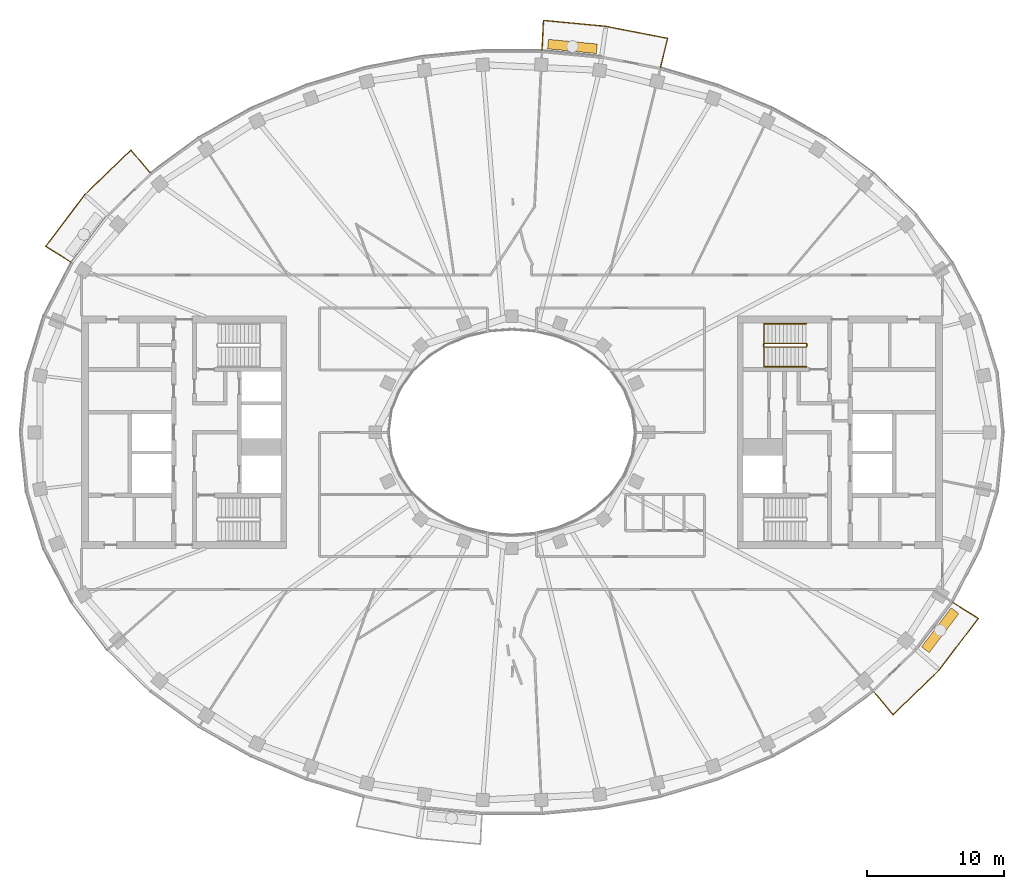
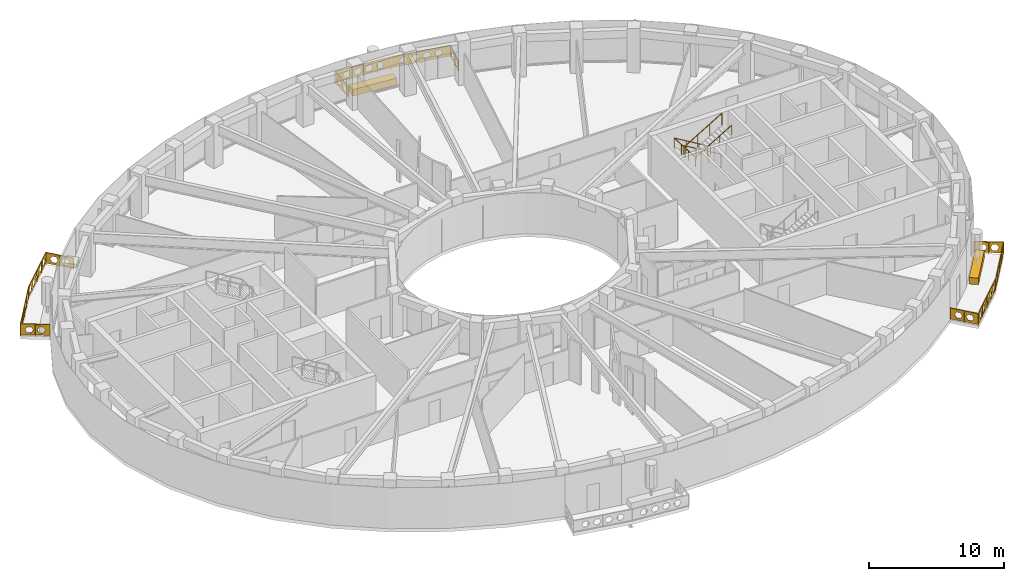
# One storey, part 15 of 16: 5 railings, 2 coverings.
"""IFC4 building model written with IfcOpenShell, lengths in metres."""

from ifc_helpers import new_model, si_unit, direction, frame, origin, origin_2d, place, context, subcontext, project, spatial, polyline, rectangle, outline, extrude, material, type_object, element, save


model = new_model("IFC4")

# Units and contexts
model_context = context("Model", 3, precision=1e-05, world=origin(), true_north=direction((0.0, 1.0)))
body_context = subcontext(model_context, "Body", "Model", "MODEL_VIEW")
ifc_project = project(units=[si_unit("LENGTHUNIT", "METRE"), si_unit("AREAUNIT", "SQUARE_METRE"), si_unit("VOLUMEUNIT", "CUBIC_METRE"), si_unit("PLANEANGLEUNIT", "RADIAN"), si_unit("MASSUNIT", "GRAM", prefix="KILO")], contexts=[model_context])

# Site, building, storey
site_placement = place(None, origin())
site = spatial("IfcSite", under=ifc_project, at=site_placement, CompositionType="ELEMENT")
building_placement = place(site_placement, origin())
building = spatial("IfcBuilding", under=site, at=building_placement, Name="Noorbagh Ring Tower", CompositionType="ELEMENT")
storey_placement = place(building_placement, frame((0.0, 0.0, 315.0)))
storey = spatial("IfcBuildingStorey", under=building, at=storey_placement, Name="L68", CompositionType="ELEMENT", Elevation=315.0)

# Railings
ifc_material_1 = material(Name="Stainless steel", Category="steel")
railing_type_1 = type_object("IfcRailingType", Name="CORE-STAIR-GUARD", PredefinedType="GUARDRAIL", material=ifc_material_1)
railing_1_placement = place(storey_placement, frame((21.580078125, 6.449951171875, 0.0)))
element("IfcRailing", 1, at=railing_1_placement, inside=storey, type_object=railing_type_1, Name="L68 ST3 stair guard", PredefinedType="GUARDRAIL", context=body_context, shape_type="SweptSolid", body=[
    extrude(rectangle(XDim=0.048095703125, YDim=0.048095703125, at=origin_2d()), frame((0.0, 0.0, 1.076171875), z_axis=(0.0, -1.0, 0.0), x_axis=(1.0, 0.0, 0.0)), (0.0, 0.0, 1.0), 0.14990234375),
    extrude(rectangle(XDim=0.048095703125, YDim=0.048095703125, at=origin_2d()), frame((0.0, -0.14990234375, 1.076171875), z_axis=(-0.188775798145, 0.754182335027, 0.628945707965), x_axis=(-0.970072785993, -0.242814311512, 0.0)), (0.0, 0.0, 1.0), 0.26513671875),
    extrude(rectangle(XDim=0.048095703125, YDim=0.048095703125, at=origin_2d()), frame((-0.050048828125, 0.050048828125, 1.24267578125), z_axis=(-0.859308565015, 0.0, 0.511457515432), x_axis=(0.0, -1.0, 0.0)), (0.0, 0.0, 1.0), 3.58447265625),
    extrude(rectangle(XDim=0.048095703125, YDim=0.048095703125, at=origin_2d()), frame((-3.130126953125, 0.050048828125, 3.076171875), z_axis=(-0.707106781187, -0.707106781187, 0.0), x_axis=(0.707106781187, -0.707106781187, 0.0)), (0.0, 0.0, 1.0), 0.07080078125),
    extrude(rectangle(XDim=0.048095703125, YDim=0.048095703125, at=origin_2d()), frame((-3.18017578125, 0.0, 3.076171875), z_axis=(0.0, -1.0, 0.0), x_axis=(1.0, 0.0, 0.0)), (0.0, 0.0, 1.0), 0.14990234375),
    extrude(rectangle(XDim=0.048095703125, YDim=0.048095703125, at=origin_2d()), frame((-3.18017578125, -0.14990234375, 3.076171875), z_axis=(0.27628659633, -0.27628659633, 0.920506074601), x_axis=(0.707106781187, 0.707106781187, 0.0)), (0.0, 0.0, 1.0), 0.18115234375),
    extrude(rectangle(XDim=0.048095703125, YDim=0.048095703125, at=origin_2d()), frame((-3.130126953125, -0.199951171875, 3.24267578125), z_axis=(0.859308565015, 0.0, 0.511457515432), x_axis=(0.0, 1.0, 0.0)), (0.0, 0.0, 1.0), 3.58447265625),
    extrude(rectangle(XDim=0.0419921875, YDim=0.0419921875, at=origin_2d()), origin(), (0.0, 0.0, 1.0), 1.052001953125),
    extrude(rectangle(XDim=0.0419921875, YDim=0.0419921875, at=origin_2d()), frame((-1.07666015625, 0.050048828125, 0.77783203125)), (0.0, 0.0, 1.0), 1.052001953125),
    extrude(rectangle(XDim=0.0419921875, YDim=0.0419921875, at=origin_2d()), frame((-2.103515625, 0.050048828125, 1.388916015625)), (0.0, 0.0, 1.0), 1.052001953125),
    extrude(rectangle(XDim=0.0419921875, YDim=0.0419921875, at=origin_2d()), frame((-3.130126953125, 0.050048828125, 2.0)), (0.0, 0.0, 1.0), 1.052001953125),
    extrude(rectangle(XDim=0.0419921875, YDim=0.0419921875, at=origin_2d()), frame((-3.130126953125, -0.199951171875, 2.166748046875)), (0.0, 0.0, 1.0), 1.052001953125),
    extrude(rectangle(XDim=0.0419921875, YDim=0.0419921875, at=origin_2d()), frame((-2.103515625, -0.199951171875, 2.77783203125)), (0.0, 0.0, 1.0), 1.052001953125),
    extrude(rectangle(XDim=0.0419921875, YDim=0.0419921875, at=origin_2d()), frame((-1.07666015625, -0.199951171875, 3.388916015625)), (0.0, 0.0, 1.0), 1.052001953125),
    extrude(rectangle(XDim=0.0419921875, YDim=0.0419921875, at=origin_2d()), frame((-0.050048828125, -0.199951171875, 4.0)), (0.0, 0.0, 1.0), 1.052001953125),
])
ifc_material_2 = material(Name="Stainless steel", Category="steel")
railing_type_2 = type_object("IfcRailingType", Name="CORE-STAIR-HANDRAIL", PredefinedType="HANDRAIL", material=ifc_material_2)
railing_2_placement = place(storey_placement, frame((21.530029296875, 7.949951171875, 0.166748046875)))
element("IfcRailing", 2, at=railing_2_placement, inside=storey, type_object=railing_type_2, Name="L68 ST3 stair handrail", PredefinedType="HANDRAIL", context=body_context, shape_type="SweptSolid", body=[
    extrude(rectangle(XDim=0.048095703125, YDim=0.048095703125, at=origin_2d()), frame((0.0, 0.0, 0.8759765625), z_axis=(-0.859308565015, 0.0, 0.511457515432), x_axis=(0.0, -1.0, 0.0)), (0.0, 0.0, 1.0), 3.58447265625),
    extrude(rectangle(XDim=0.048095703125, YDim=0.048095703125, at=origin_2d()), frame((-3.080078125, 0.0, 2.708984375), z_axis=(0.0, -0.998601747152, 0.052863509014), x_axis=(1.0, 0.0, 0.0)), (0.0, 0.0, 1.0), 3.154296875),
    extrude(rectangle(XDim=0.048095703125, YDim=0.048095703125, at=origin_2d()), frame((-3.080078125, -3.14990234375, 2.8759765625), z_axis=(0.859308565015, 0.0, 0.511457515432), x_axis=(0.0, 1.0, 0.0)), (0.0, 0.0, 1.0), 3.58447265625),
    extrude(rectangle(XDim=0.0419921875, YDim=0.0419921875, at=origin_2d()), origin(), (0.0, 0.0, 1.0), 0.851806640625),
    extrude(rectangle(XDim=0.0419921875, YDim=0.0419921875, at=origin_2d()), frame((-1.026611328125, 0.0, 0.611083984375)), (0.0, 0.0, 1.0), 0.851806640625),
    extrude(rectangle(XDim=0.0419921875, YDim=0.0419921875, at=origin_2d()), frame((-2.053466796875, 0.0, 1.22216796875)), (0.0, 0.0, 1.0), 0.851806640625),
    extrude(rectangle(XDim=0.0419921875, YDim=0.0419921875, at=origin_2d()), frame((-3.080078125, 0.0, 1.833251953125)), (0.0, 0.0, 1.0), 0.851806640625),
    extrude(rectangle(XDim=0.0419921875, YDim=0.0419921875, at=origin_2d()), frame((-3.080078125, -1.050048828125, 1.888916015625)), (0.0, 0.0, 1.0), 0.851806640625),
    extrude(rectangle(XDim=0.0419921875, YDim=0.0419921875, at=origin_2d()), frame((-3.080078125, -2.099853515625, 1.9443359375)), (0.0, 0.0, 1.0), 0.851806640625),
    extrude(rectangle(XDim=0.0419921875, YDim=0.0419921875, at=origin_2d()), frame((-3.080078125, -3.14990234375, 2.0)), (0.0, 0.0, 1.0), 0.851806640625),
    extrude(rectangle(XDim=0.0419921875, YDim=0.0419921875, at=origin_2d()), frame((-2.053466796875, -3.14990234375, 2.611083984375)), (0.0, 0.0, 1.0), 0.851806640625),
    extrude(rectangle(XDim=0.0419921875, YDim=0.0419921875, at=origin_2d()), frame((-1.026611328125, -3.14990234375, 3.22216796875)), (0.0, 0.0, 1.0), 0.851806640625),
    extrude(rectangle(XDim=0.0419921875, YDim=0.0419921875, at=origin_2d()), frame((0.0, -3.14990234375, 3.833251953125)), (0.0, 0.0, 1.0), 0.851806640625),
])
ifc_material_3 = material(Name="Steel S275 black powder-coated", Category="steel")
railing_type_3 = type_object("IfcRailingType", Name="ENV-GUARD", PredefinedType="GUARDRAIL", material=ifc_material_3)
railing_3_placement = place(storey_placement, frame((10.865234375, 26.6943359375, 0.0)))
element("IfcRailing", 3, at=railing_3_placement, inside=storey, type_object=railing_type_3, Name="Balcony guard BN03", PredefinedType="GUARDRAIL", context=body_context, shape_type="SweptSolid", body=[
    extrude(rectangle(XDim=0.048095703125, YDim=0.048095703125, at=origin_2d()), frame((0.0, 0.0, 1.076171875), z_axis=(0.239848558412, 0.970810315679, 0.0), x_axis=(-0.970810315679, 0.239848558412, 0.0)), (0.0, 0.0, 1.0), 2.20263671875),
    extrude(rectangle(XDim=0.048095703125, YDim=0.048095703125, at=origin_2d()), frame((0.5283203125, 2.138427734375, 1.076171875), z_axis=(-0.981625049064, 0.1908199755, 0.0), x_axis=(-0.1908199755, -0.981625049064, 0.0)), (0.0, 0.0, 1.0), 4.603271484375),
    extrude(rectangle(XDim=0.048095703125, YDim=0.048095703125, at=origin_2d()), frame((-3.990478515625, 3.016845703125, 1.076171875), z_axis=(-0.995477555764, 0.094997031379, 0.0), x_axis=(-0.094997031379, -0.995477555764, 0.0)), (0.0, 0.0, 1.0), 4.59765625),
    extrude(rectangle(XDim=0.048095703125, YDim=0.048095703125, at=origin_2d()), frame((-8.5673828125, 3.45361328125, 1.076171875), z_axis=(-0.047554616162, -0.998868639252, 0.0), x_axis=(0.998868639252, -0.047554616162, 0.0)), (0.0, 0.0, 1.0), 2.202392578125),
    extrude(rectangle(XDim=0.0419921875, YDim=0.0419921875, at=origin_2d()), origin(), (0.0, 0.0, 1.0), 1.052001953125),
    extrude(rectangle(XDim=0.0419921875, YDim=0.0419921875, at=origin_2d()), frame((0.26416015625, 1.0693359375, 0.0)), (0.0, 0.0, 1.0), 1.052001953125),
    extrude(rectangle(XDim=0.0419921875, YDim=0.0419921875, at=origin_2d()), frame((0.5283203125, 2.138427734375, 0.0)), (0.0, 0.0, 1.0), 1.052001953125),
    extrude(rectangle(XDim=0.0419921875, YDim=0.0419921875, at=origin_2d()), frame((-0.601318359375, 2.35791015625, 0.0)), (0.0, 0.0, 1.0), 1.052001953125),
    extrude(rectangle(XDim=0.0419921875, YDim=0.0419921875, at=origin_2d()), frame((-1.73095703125, 2.57763671875, 0.0)), (0.0, 0.0, 1.0), 1.052001953125),
    extrude(rectangle(XDim=0.0419921875, YDim=0.0419921875, at=origin_2d()), frame((-2.86083984375, 2.79736328125, 0.0)), (0.0, 0.0, 1.0), 1.052001953125),
    extrude(rectangle(XDim=0.0419921875, YDim=0.0419921875, at=origin_2d()), frame((-3.990478515625, 3.016845703125, 0.0)), (0.0, 0.0, 1.0), 1.052001953125),
    extrude(rectangle(XDim=0.0419921875, YDim=0.0419921875, at=origin_2d()), frame((-5.134765625, 3.1259765625, 0.0)), (0.0, 0.0, 1.0), 1.052001953125),
    extrude(rectangle(XDim=0.0419921875, YDim=0.0419921875, at=origin_2d()), frame((-6.27880859375, 3.2353515625, 0.0)), (0.0, 0.0, 1.0), 1.052001953125),
    extrude(rectangle(XDim=0.0419921875, YDim=0.0419921875, at=origin_2d()), frame((-7.423095703125, 3.344482421875, 0.0)), (0.0, 0.0, 1.0), 1.052001953125),
    extrude(rectangle(XDim=0.0419921875, YDim=0.0419921875, at=origin_2d()), frame((-8.5673828125, 3.45361328125, 0.0)), (0.0, 0.0, 1.0), 1.052001953125),
    extrude(rectangle(XDim=0.0419921875, YDim=0.0419921875, at=origin_2d()), frame((-8.61962890625, 2.353515625, 0.0)), (0.0, 0.0, 1.0), 1.052001953125),
    extrude(rectangle(XDim=0.0419921875, YDim=0.0419921875, at=origin_2d()), frame((-8.672119140625, 1.253662109375, 0.0)), (0.0, 0.0, 1.0), 1.052001953125),
    extrude(outline(polyline([(0.0, 0.10009765625), (2.20263671875, 0.10009765625), (2.20263671875, 1.031982421875), (0.0, 1.031982421875), (0.0, 0.10009765625)]), holes=[polyline([(0.96142578125, 0.56591796875), (0.806396484375, 0.83447265625), (0.496337890625, 0.83447265625), (0.34130859375, 0.56591796875), (0.496337890625, 0.297607421875), (0.806396484375, 0.297607421875), (0.96142578125, 0.56591796875)]), polyline([(1.861328125, 0.56591796875), (1.706298828125, 0.83447265625), (1.396240234375, 0.83447265625), (1.241455078125, 0.56591796875), (1.396240234375, 0.297607421875), (1.706298828125, 0.297607421875), (1.861328125, 0.56591796875)])]), frame((-0.009765625, 0.00244140625, 0.0), z_axis=(0.970810315679, -0.239848558412, 0.0), x_axis=(0.239848558412, 0.970810315679, 0.0)), (0.0, 0.0, 1.0), 0.02001953125),
    extrude(outline(polyline([(0.0, 0.10009765625), (4.603271484375, 0.10009765625), (4.603271484375, 1.031982421875), (0.0, 1.031982421875), (0.0, 0.10009765625)]), holes=[polyline([(1.26171875, 0.56591796875), (1.106689453125, 0.83447265625), (0.796630859375, 0.83447265625), (0.6416015625, 0.56591796875), (0.796630859375, 0.297607421875), (1.106689453125, 0.297607421875), (1.26171875, 0.56591796875)]), polyline([(2.16162109375, 0.56591796875), (2.006591796875, 0.83447265625), (1.69677734375, 0.83447265625), (1.541748046875, 0.56591796875), (1.69677734375, 0.297607421875), (2.006591796875, 0.297607421875), (2.16162109375, 0.56591796875)]), polyline([(3.061767578125, 0.56591796875), (2.90673828125, 0.83447265625), (2.5966796875, 0.83447265625), (2.441650390625, 0.56591796875), (2.5966796875, 0.297607421875), (2.90673828125, 0.297607421875), (3.061767578125, 0.56591796875)]), polyline([(3.961669921875, 0.56591796875), (3.806640625, 0.83447265625), (3.49658203125, 0.83447265625), (3.341796875, 0.56591796875), (3.49658203125, 0.297607421875), (3.806640625, 0.297607421875), (3.961669921875, 0.56591796875)])]), frame((0.5263671875, 2.128662109375, 0.0), z_axis=(0.1908199755, 0.981625049064, 0.0), x_axis=(-0.981625049064, 0.1908199755, 0.0)), (0.0, 0.0, 1.0), 0.02001953125),
    extrude(outline(polyline([(0.0, 0.10009765625), (4.59765625, 0.10009765625), (4.59765625, 1.031982421875), (0.0, 1.031982421875), (0.0, 0.10009765625)]), holes=[polyline([(1.2587890625, 0.56591796875), (1.103759765625, 0.83447265625), (0.7939453125, 0.83447265625), (0.638916015625, 0.56591796875), (0.7939453125, 0.297607421875), (1.103759765625, 0.297607421875), (1.2587890625, 0.56591796875)]), polyline([(2.158935546875, 0.56591796875), (2.00390625, 0.83447265625), (1.69384765625, 0.83447265625), (1.538818359375, 0.56591796875), (1.69384765625, 0.297607421875), (2.00390625, 0.297607421875), (2.158935546875, 0.56591796875)]), polyline([(3.058837890625, 0.56591796875), (2.90380859375, 0.83447265625), (2.59375, 0.83447265625), (2.43896484375, 0.56591796875), (2.59375, 0.297607421875), (2.90380859375, 0.297607421875), (3.058837890625, 0.56591796875)]), polyline([(3.958740234375, 0.56591796875), (3.803955078125, 0.83447265625), (3.493896484375, 0.83447265625), (3.3388671875, 0.56591796875), (3.493896484375, 0.297607421875), (3.803955078125, 0.297607421875), (3.958740234375, 0.56591796875)])]), frame((-3.991455078125, 3.0068359375, 0.0), z_axis=(0.094997031379, 0.995477555764, 0.0), x_axis=(-0.995477555764, 0.094997031379, 0.0)), (0.0, 0.0, 1.0), 0.02001953125),
    extrude(outline(polyline([(0.0, 0.10009765625), (2.202392578125, 0.10009765625), (2.202392578125, 1.031982421875), (0.0, 1.031982421875), (0.0, 0.10009765625)]), holes=[polyline([(0.961181640625, 0.56591796875), (0.80615234375, 0.83447265625), (0.496337890625, 0.83447265625), (0.34130859375, 0.56591796875), (0.496337890625, 0.297607421875), (0.80615234375, 0.297607421875), (0.961181640625, 0.56591796875)]), polyline([(1.861328125, 0.56591796875), (1.706298828125, 0.83447265625), (1.396240234375, 0.83447265625), (1.2412109375, 0.56591796875), (1.396240234375, 0.297607421875), (1.706298828125, 0.297607421875), (1.861328125, 0.56591796875)])]), frame((-8.557373046875, 3.453125, 0.0), z_axis=(-0.998868639252, 0.047554616162, 0.0), x_axis=(-0.047554616162, -0.998868639252, 0.0)), (0.0, 0.0, 1.0), 0.02001953125),
])
railing_4_placement = place(storey_placement, frame((-26.463134765625, 18.983154296875, 0.0)))
element("IfcRailing", 4, at=railing_4_placement, inside=storey, type_object=railing_type_3, Name="Balcony guard BN06", PredefinedType="GUARDRAIL", context=body_context, shape_type="SweptSolid", body=[
    extrude(rectangle(XDim=0.048095703125, YDim=0.048095703125, at=origin_2d()), frame((0.0, 0.0, 1.076171875), z_axis=(-0.646413574048, 0.762987215677, 0.0), x_axis=(-0.762987215677, -0.646413574048, 0.0)), (0.0, 0.0, 1.0), 2.205322265625),
    extrude(rectangle(XDim=0.048095703125, YDim=0.048095703125, at=origin_2d()), frame((-1.425537109375, 1.6826171875, 1.076171875), z_axis=(-0.717212632946, -0.696854388766, 0.0), x_axis=(0.696854388766, -0.717212632946, 0.0)), (0.0, 0.0, 1.0), 4.700927734375),
    extrude(rectangle(XDim=0.048095703125, YDim=0.048095703125, at=origin_2d()), frame((-4.797119140625, -1.59326171875, 1.076171875), z_axis=(-0.604001613322, -0.796983093362, 0.0), x_axis=(0.796983093362, -0.604001613322, 0.0)), (0.0, 0.0, 1.0), 4.7353515625),
    extrude(rectangle(XDim=0.048095703125, YDim=0.048095703125, at=origin_2d()), frame((-7.6572265625, -5.3671875, 1.076171875), z_axis=(0.844852397829, -0.534999463442, 0.0), x_axis=(0.534999463442, 0.844852397829, 0.0)), (0.0, 0.0, 1.0), 2.207763671875),
    extrude(rectangle(XDim=0.0419921875, YDim=0.0419921875, at=origin_2d()), origin(), (0.0, 0.0, 1.0), 1.052001953125),
    extrude(rectangle(XDim=0.0419921875, YDim=0.0419921875, at=origin_2d()), frame((-0.712890625, 0.84130859375, 0.0)), (0.0, 0.0, 1.0), 1.052001953125),
    extrude(rectangle(XDim=0.0419921875, YDim=0.0419921875, at=origin_2d()), frame((-1.425537109375, 1.6826171875, 0.0)), (0.0, 0.0, 1.0), 1.052001953125),
    extrude(rectangle(XDim=0.0419921875, YDim=0.0419921875, at=origin_2d()), frame((-2.2685546875, 0.86376953125, 0.0)), (0.0, 0.0, 1.0), 1.052001953125),
    extrude(rectangle(XDim=0.0419921875, YDim=0.0419921875, at=origin_2d()), frame((-3.111328125, 0.044677734375, 0.0)), (0.0, 0.0, 1.0), 1.052001953125),
    extrude(rectangle(XDim=0.0419921875, YDim=0.0419921875, at=origin_2d()), frame((-3.9541015625, -0.7744140625, 0.0)), (0.0, 0.0, 1.0), 1.052001953125),
    extrude(rectangle(XDim=0.0419921875, YDim=0.0419921875, at=origin_2d()), frame((-4.797119140625, -1.59326171875, 0.0)), (0.0, 0.0, 1.0), 1.052001953125),
    extrude(rectangle(XDim=0.0419921875, YDim=0.0419921875, at=origin_2d()), frame((-5.51220703125, -2.53662109375, 0.0)), (0.0, 0.0, 1.0), 1.052001953125),
    extrude(rectangle(XDim=0.0419921875, YDim=0.0419921875, at=origin_2d()), frame((-6.22705078125, -3.480224609375, 0.0)), (0.0, 0.0, 1.0), 1.052001953125),
    extrude(rectangle(XDim=0.0419921875, YDim=0.0419921875, at=origin_2d()), frame((-6.942138671875, -4.423828125, 0.0)), (0.0, 0.0, 1.0), 1.052001953125),
    extrude(rectangle(XDim=0.0419921875, YDim=0.0419921875, at=origin_2d()), frame((-7.6572265625, -5.3671875, 0.0)), (0.0, 0.0, 1.0), 1.052001953125),
    extrude(rectangle(XDim=0.0419921875, YDim=0.0419921875, at=origin_2d()), frame((-6.724609375, -5.957763671875, 0.0)), (0.0, 0.0, 1.0), 1.052001953125),
    extrude(rectangle(XDim=0.0419921875, YDim=0.0419921875, at=origin_2d()), frame((-5.7919921875, -6.54833984375, 0.0)), (0.0, 0.0, 1.0), 1.052001953125),
    extrude(outline(polyline([(0.0, 0.10009765625), (2.205322265625, 0.10009765625), (2.205322265625, 1.031982421875), (0.0, 1.031982421875), (0.0, 0.10009765625)]), holes=[polyline([(0.962646484375, 0.56591796875), (0.8076171875, 0.83447265625), (0.49755859375, 0.83447265625), (0.342529296875, 0.56591796875), (0.49755859375, 0.297607421875), (0.8076171875, 0.297607421875), (0.962646484375, 0.56591796875)]), polyline([(1.862548828125, 0.56591796875), (1.707763671875, 0.83447265625), (1.397705078125, 0.83447265625), (1.24267578125, 0.56591796875), (1.397705078125, 0.297607421875), (1.707763671875, 0.297607421875), (1.862548828125, 0.56591796875)])]), frame((-0.007568359375, -0.00634765625, 0.0), z_axis=(0.762987215677, 0.646413574048, 0.0), x_axis=(-0.646413574048, 0.762987215677, 0.0)), (0.0, 0.0, 1.0), 0.02001953125),
    extrude(outline(polyline([(0.0, 0.10009765625), (4.700927734375, 0.10009765625), (4.700927734375, 1.031982421875), (0.0, 1.031982421875), (0.0, 0.10009765625)]), holes=[polyline([(0.860595703125, 0.56591796875), (0.70556640625, 0.83447265625), (0.3955078125, 0.83447265625), (0.240478515625, 0.56591796875), (0.3955078125, 0.297607421875), (0.70556640625, 0.297607421875), (0.860595703125, 0.56591796875)]), polyline([(1.760498046875, 0.56591796875), (1.60546875, 0.83447265625), (1.29541015625, 0.83447265625), (1.140380859375, 0.56591796875), (1.29541015625, 0.297607421875), (1.60546875, 0.297607421875), (1.760498046875, 0.56591796875)]), polyline([(2.660400390625, 0.56591796875), (2.50537109375, 0.83447265625), (2.195556640625, 0.83447265625), (2.04052734375, 0.56591796875), (2.195556640625, 0.297607421875), (2.50537109375, 0.297607421875), (2.660400390625, 0.56591796875)]), polyline([(3.560546875, 0.56591796875), (3.405517578125, 0.83447265625), (3.095458984375, 0.83447265625), (2.9404296875, 0.56591796875), (3.095458984375, 0.297607421875), (3.405517578125, 0.297607421875), (3.560546875, 0.56591796875)]), polyline([(4.46044921875, 0.56591796875), (4.305419921875, 0.83447265625), (3.995361328125, 0.83447265625), (3.840576171875, 0.56591796875), (3.995361328125, 0.297607421875), (4.305419921875, 0.297607421875), (4.46044921875, 0.56591796875)])]), frame((-1.41845703125, 1.675537109375, 0.0), z_axis=(-0.696854388766, 0.717212632946, 0.0), x_axis=(-0.717212632946, -0.696854388766, 0.0)), (0.0, 0.0, 1.0), 0.02001953125),
    extrude(outline(polyline([(0.0, 0.10009765625), (4.7353515625, 0.10009765625), (4.7353515625, 1.031982421875), (0.0, 1.031982421875), (0.0, 0.10009765625)]), holes=[polyline([(0.877685546875, 0.56591796875), (0.72265625, 0.83447265625), (0.41259765625, 0.83447265625), (0.257568359375, 0.56591796875), (0.41259765625, 0.297607421875), (0.72265625, 0.297607421875), (0.877685546875, 0.56591796875)]), polyline([(1.777587890625, 0.56591796875), (1.62255859375, 0.83447265625), (1.312744140625, 0.83447265625), (1.15771484375, 0.56591796875), (1.312744140625, 0.297607421875), (1.62255859375, 0.297607421875), (1.777587890625, 0.56591796875)]), polyline([(2.677734375, 0.56591796875), (2.522705078125, 0.83447265625), (2.212646484375, 0.83447265625), (2.0576171875, 0.56591796875), (2.212646484375, 0.297607421875), (2.522705078125, 0.297607421875), (2.677734375, 0.56591796875)]), polyline([(3.57763671875, 0.56591796875), (3.422607421875, 0.83447265625), (3.112548828125, 0.83447265625), (2.95751953125, 0.56591796875), (3.112548828125, 0.297607421875), (3.422607421875, 0.297607421875), (3.57763671875, 0.56591796875)]), polyline([(4.4775390625, 0.56591796875), (4.32275390625, 0.83447265625), (4.0126953125, 0.83447265625), (3.857666015625, 0.56591796875), (4.0126953125, 0.297607421875), (4.32275390625, 0.297607421875), (4.4775390625, 0.56591796875)])]), frame((-4.7890625, -1.599365234375, 0.0), z_axis=(-0.796983093362, 0.604001613322, 0.0), x_axis=(-0.604001613322, -0.796983093362, 0.0)), (0.0, 0.0, 1.0), 0.02001953125),
    extrude(outline(polyline([(0.0, 0.10009765625), (2.207763671875, 0.10009765625), (2.207763671875, 1.031982421875), (0.0, 1.031982421875), (0.0, 0.10009765625)]), holes=[polyline([(0.9638671875, 0.56591796875), (0.808837890625, 0.83447265625), (0.498779296875, 0.83447265625), (0.343994140625, 0.56591796875), (0.498779296875, 0.297607421875), (0.808837890625, 0.297607421875), (0.9638671875, 0.56591796875)]), polyline([(1.86376953125, 0.56591796875), (1.708984375, 0.83447265625), (1.39892578125, 0.83447265625), (1.243896484375, 0.56591796875), (1.39892578125, 0.297607421875), (1.708984375, 0.297607421875), (1.86376953125, 0.56591796875)])]), frame((-7.65185546875, -5.358642578125, 0.0), z_axis=(-0.534999463442, -0.844852397829, 0.0), x_axis=(0.844852397829, -0.534999463442, 0.0)), (0.0, 0.0, 1.0), 0.02001953125),
])
railing_5_placement = place(storey_placement, frame((26.463134765625, -18.983154296875, 0.0)))
element("IfcRailing", 5, at=railing_5_placement, inside=storey, type_object=railing_type_3, Name="Balcony guard BS06", PredefinedType="GUARDRAIL", context=body_context, shape_type="SweptSolid", body=[
    extrude(rectangle(XDim=0.048095703125, YDim=0.048095703125, at=origin_2d()), frame((0.0, 0.0, 1.076171875), z_axis=(0.646413574048, -0.762987215677, 0.0), x_axis=(0.762987215677, 0.646413574048, 0.0)), (0.0, 0.0, 1.0), 2.205322265625),
    extrude(rectangle(XDim=0.048095703125, YDim=0.048095703125, at=origin_2d()), frame((1.425537109375, -1.6826171875, 1.076171875), z_axis=(0.717212632946, 0.696854388766, 0.0), x_axis=(-0.696854388766, 0.717212632946, 0.0)), (0.0, 0.0, 1.0), 4.700927734375),
    extrude(rectangle(XDim=0.048095703125, YDim=0.048095703125, at=origin_2d()), frame((4.797119140625, 1.59326171875, 1.076171875), z_axis=(0.604001613322, 0.796983093362, 0.0), x_axis=(-0.796983093362, 0.604001613322, 0.0)), (0.0, 0.0, 1.0), 4.7353515625),
    extrude(rectangle(XDim=0.048095703125, YDim=0.048095703125, at=origin_2d()), frame((7.6572265625, 5.3671875, 1.076171875), z_axis=(-0.844852397829, 0.534999463442, 0.0), x_axis=(-0.534999463442, -0.844852397829, 0.0)), (0.0, 0.0, 1.0), 2.207763671875),
    extrude(rectangle(XDim=0.0419921875, YDim=0.0419921875, at=origin_2d()), origin(), (0.0, 0.0, 1.0), 1.052001953125),
    extrude(rectangle(XDim=0.0419921875, YDim=0.0419921875, at=origin_2d()), frame((0.712890625, -0.84130859375, 0.0)), (0.0, 0.0, 1.0), 1.052001953125),
    extrude(rectangle(XDim=0.0419921875, YDim=0.0419921875, at=origin_2d()), frame((1.425537109375, -1.6826171875, 0.0)), (0.0, 0.0, 1.0), 1.052001953125),
    extrude(rectangle(XDim=0.0419921875, YDim=0.0419921875, at=origin_2d()), frame((2.2685546875, -0.86376953125, 0.0)), (0.0, 0.0, 1.0), 1.052001953125),
    extrude(rectangle(XDim=0.0419921875, YDim=0.0419921875, at=origin_2d()), frame((3.111328125, -0.044677734375, 0.0)), (0.0, 0.0, 1.0), 1.052001953125),
    extrude(rectangle(XDim=0.0419921875, YDim=0.0419921875, at=origin_2d()), frame((3.9541015625, 0.7744140625, 0.0)), (0.0, 0.0, 1.0), 1.052001953125),
    extrude(rectangle(XDim=0.0419921875, YDim=0.0419921875, at=origin_2d()), frame((4.797119140625, 1.59326171875, 0.0)), (0.0, 0.0, 1.0), 1.052001953125),
    extrude(rectangle(XDim=0.0419921875, YDim=0.0419921875, at=origin_2d()), frame((5.51220703125, 2.53662109375, 0.0)), (0.0, 0.0, 1.0), 1.052001953125),
    extrude(rectangle(XDim=0.0419921875, YDim=0.0419921875, at=origin_2d()), frame((6.22705078125, 3.480224609375, 0.0)), (0.0, 0.0, 1.0), 1.052001953125),
    extrude(rectangle(XDim=0.0419921875, YDim=0.0419921875, at=origin_2d()), frame((6.942138671875, 4.423828125, 0.0)), (0.0, 0.0, 1.0), 1.052001953125),
    extrude(rectangle(XDim=0.0419921875, YDim=0.0419921875, at=origin_2d()), frame((7.6572265625, 5.3671875, 0.0)), (0.0, 0.0, 1.0), 1.052001953125),
    extrude(rectangle(XDim=0.0419921875, YDim=0.0419921875, at=origin_2d()), frame((6.724609375, 5.957763671875, 0.0)), (0.0, 0.0, 1.0), 1.052001953125),
    extrude(rectangle(XDim=0.0419921875, YDim=0.0419921875, at=origin_2d()), frame((5.7919921875, 6.54833984375, 0.0)), (0.0, 0.0, 1.0), 1.052001953125),
    extrude(outline(polyline([(0.0, 0.10009765625), (2.205322265625, 0.10009765625), (2.205322265625, 1.031982421875), (0.0, 1.031982421875), (0.0, 0.10009765625)]), holes=[polyline([(0.962646484375, 0.56591796875), (0.8076171875, 0.83447265625), (0.49755859375, 0.83447265625), (0.342529296875, 0.56591796875), (0.49755859375, 0.297607421875), (0.8076171875, 0.297607421875), (0.962646484375, 0.56591796875)]), polyline([(1.862548828125, 0.56591796875), (1.707763671875, 0.83447265625), (1.397705078125, 0.83447265625), (1.24267578125, 0.56591796875), (1.397705078125, 0.297607421875), (1.707763671875, 0.297607421875), (1.862548828125, 0.56591796875)])]), frame((0.007568359375, 0.00634765625, 0.0), z_axis=(-0.762987215677, -0.646413574048, 0.0), x_axis=(0.646413574048, -0.762987215677, 0.0)), (0.0, 0.0, 1.0), 0.02001953125),
    extrude(outline(polyline([(0.0, 0.10009765625), (4.700927734375, 0.10009765625), (4.700927734375, 1.031982421875), (0.0, 1.031982421875), (0.0, 0.10009765625)]), holes=[polyline([(0.860595703125, 0.56591796875), (0.70556640625, 0.83447265625), (0.3955078125, 0.83447265625), (0.240478515625, 0.56591796875), (0.3955078125, 0.297607421875), (0.70556640625, 0.297607421875), (0.860595703125, 0.56591796875)]), polyline([(1.760498046875, 0.56591796875), (1.60546875, 0.83447265625), (1.29541015625, 0.83447265625), (1.140380859375, 0.56591796875), (1.29541015625, 0.297607421875), (1.60546875, 0.297607421875), (1.760498046875, 0.56591796875)]), polyline([(2.660400390625, 0.56591796875), (2.50537109375, 0.83447265625), (2.195556640625, 0.83447265625), (2.04052734375, 0.56591796875), (2.195556640625, 0.297607421875), (2.50537109375, 0.297607421875), (2.660400390625, 0.56591796875)]), polyline([(3.560546875, 0.56591796875), (3.405517578125, 0.83447265625), (3.095458984375, 0.83447265625), (2.9404296875, 0.56591796875), (3.095458984375, 0.297607421875), (3.405517578125, 0.297607421875), (3.560546875, 0.56591796875)]), polyline([(4.46044921875, 0.56591796875), (4.305419921875, 0.83447265625), (3.995361328125, 0.83447265625), (3.840576171875, 0.56591796875), (3.995361328125, 0.297607421875), (4.305419921875, 0.297607421875), (4.46044921875, 0.56591796875)])]), frame((1.41845703125, -1.675537109375, 0.0), z_axis=(0.696854388766, -0.717212632946, 0.0), x_axis=(0.717212632946, 0.696854388766, 0.0)), (0.0, 0.0, 1.0), 0.02001953125),
    extrude(outline(polyline([(0.0, 0.10009765625), (4.7353515625, 0.10009765625), (4.7353515625, 1.031982421875), (0.0, 1.031982421875), (0.0, 0.10009765625)]), holes=[polyline([(0.877685546875, 0.56591796875), (0.72265625, 0.83447265625), (0.41259765625, 0.83447265625), (0.257568359375, 0.56591796875), (0.41259765625, 0.297607421875), (0.72265625, 0.297607421875), (0.877685546875, 0.56591796875)]), polyline([(1.777587890625, 0.56591796875), (1.62255859375, 0.83447265625), (1.312744140625, 0.83447265625), (1.15771484375, 0.56591796875), (1.312744140625, 0.297607421875), (1.62255859375, 0.297607421875), (1.777587890625, 0.56591796875)]), polyline([(2.677734375, 0.56591796875), (2.522705078125, 0.83447265625), (2.212646484375, 0.83447265625), (2.0576171875, 0.56591796875), (2.212646484375, 0.297607421875), (2.522705078125, 0.297607421875), (2.677734375, 0.56591796875)]), polyline([(3.57763671875, 0.56591796875), (3.422607421875, 0.83447265625), (3.112548828125, 0.83447265625), (2.95751953125, 0.56591796875), (3.112548828125, 0.297607421875), (3.422607421875, 0.297607421875), (3.57763671875, 0.56591796875)]), polyline([(4.4775390625, 0.56591796875), (4.32275390625, 0.83447265625), (4.0126953125, 0.83447265625), (3.857666015625, 0.56591796875), (4.0126953125, 0.297607421875), (4.32275390625, 0.297607421875), (4.4775390625, 0.56591796875)])]), frame((4.7890625, 1.599365234375, 0.0), z_axis=(0.796983093362, -0.604001613322, 0.0), x_axis=(0.604001613322, 0.796983093362, 0.0)), (0.0, 0.0, 1.0), 0.02001953125),
    extrude(outline(polyline([(0.0, 0.10009765625), (2.207763671875, 0.10009765625), (2.207763671875, 1.031982421875), (0.0, 1.031982421875), (0.0, 0.10009765625)]), holes=[polyline([(0.9638671875, 0.56591796875), (0.808837890625, 0.83447265625), (0.498779296875, 0.83447265625), (0.343994140625, 0.56591796875), (0.498779296875, 0.297607421875), (0.808837890625, 0.297607421875), (0.9638671875, 0.56591796875)]), polyline([(1.86376953125, 0.56591796875), (1.708984375, 0.83447265625), (1.39892578125, 0.83447265625), (1.243896484375, 0.56591796875), (1.39892578125, 0.297607421875), (1.708984375, 0.297607421875), (1.86376953125, 0.56591796875)])]), frame((7.65185546875, 5.358642578125, 0.0), z_axis=(0.534999463442, 0.844852397829, 0.0), x_axis=(-0.844852397829, 0.534999463442, 0.0)), (0.0, 0.0, 1.0), 0.02001953125),
])

# Coverings
ifc_material_4 = material(Name="Concrete C30/37 planter with soil", Category="concrete")
covering_type = type_object("IfcCoveringType", Name="ENV-PLANTER", PredefinedType="CLADDING", material=ifc_material_4)
covering_1_placement = place(storey_placement, frame((4.423828125, 28.2373046875, 0.0), z_axis=(0.0, 0.0, 1.0), x_axis=(-0.995476497323, 0.095008122171, 0.0)))
element("IfcCovering", 6, at=covering_1_placement, inside=storey, type_object=covering_type, Name="PLANTER BN03", ObjectType="PLANTER", PredefinedType="CLADDING", context=body_context, shape_type="SweptSolid", body=[
    extrude(rectangle(XDim=3.58642578125, YDim=0.699951171875, at=origin_2d()), origin(), (0.0, 0.0, 1.0), 0.60009765625),
])
covering_2_placement = place(storey_placement, frame((31.329833984375, -14.4833984375, 0.0), z_axis=(0.0, 0.0, 1.0), x_axis=(0.604020184358, 0.796969018776, 0.0)))
element("IfcCovering", 7, at=covering_2_placement, inside=storey, type_object=covering_type, Name="PLANTER BS06", ObjectType="PLANTER", PredefinedType="CLADDING", context=body_context, shape_type="SweptSolid", body=[
    extrude(rectangle(XDim=3.583251953125, YDim=0.699951171875, at=origin_2d()), origin(), (0.0, 0.0, 1.0), 0.60009765625),
])

save(model, "model.ifc")
